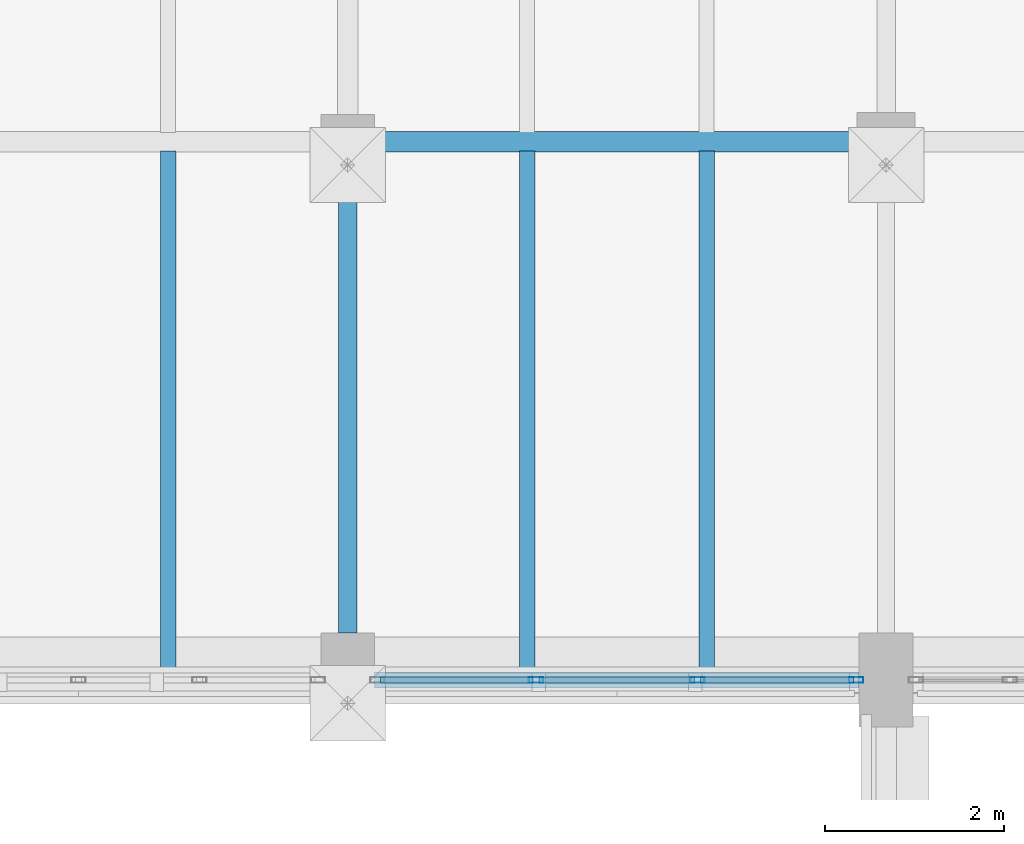
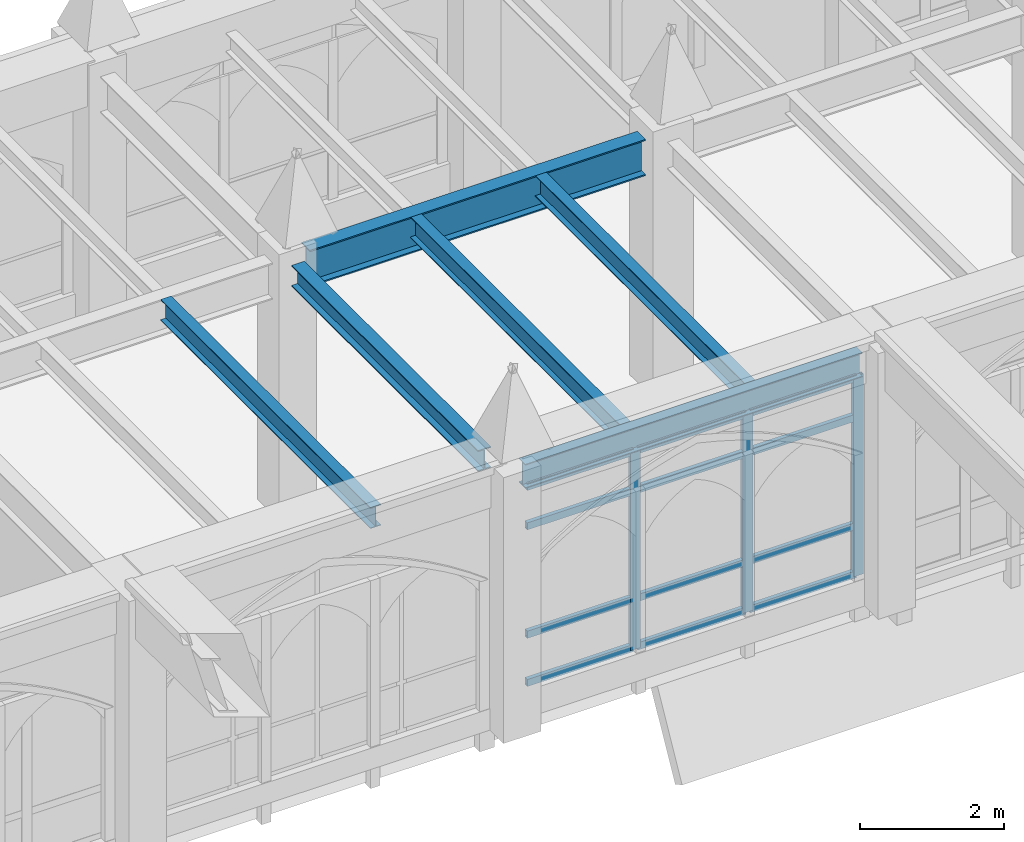
# One storey, part 54 of 143: 15 members, 6 beams, 1 element without a shape of its own.
"""IFC4 building model written with IfcOpenShell, lengths in metres."""

import ifcopenshell
import ifcopenshell.guid

model = None  # the IFC model being written
_history = None  # IfcOwnerHistory: only IFC2X3 demands one
_inside = {}  # id of a spatial element -> (the spatial element, [elements in it])
_under = {}  # id of a project, library or spatial element -> (it, [spatial elements below it])
_declared = {}  # id of a project -> (the project, [libraries it declares])
_typed = {}  # id of a type object -> (the type object, [elements of that type])
_made_of = {}  # id of a material, layer set ... -> (it, [elements and type objects made of it])


def new_model(schema):
    """Start an empty IFC model of exactly this schema.

    Asked for "IFC4X3", IfcOpenShell would pick the latest addendum, in which some entities
    have other attributes; the version numbers below select the first issue.
    IFC2X3 requires an IfcOwnerHistory on every rooted entity: one is made here for all.
    """
    global model, _history
    if schema == "IFC4X3":
        model = ifcopenshell.file(schema_version=(4, 3, 0, 0))
    else:
        model = ifcopenshell.file(schema=schema)
    _inside.clear()
    _under.clear()
    _declared.clear()
    _typed.clear()
    _made_of.clear()
    _history = None
    if model.schema == "IFC2X3":
        org = make("IfcOrganization", Name="unknown")
        user = make(
            "IfcPersonAndOrganization",
            ThePerson=make("IfcPerson", FamilyName="unknown"),
            TheOrganization=org,
        )
        app = make(
            "IfcApplication",
            ApplicationDeveloper=org,
            Version="unknown",
            ApplicationFullName="unknown",
            ApplicationIdentifier="unknown",
        )
        _history = make(
            "IfcOwnerHistory",
            OwningUser=user,
            OwningApplication=app,
            ChangeAction="ADDED",
            CreationDate=0,
        )
    return model


def make(cls, **values):
    """One entity of the class cls with the attributes given. An attribute that is None is left unset."""
    return model.create_entity(
        cls, **{name: value for name, value in values.items() if value is not None}
    )


def rooted(cls, **values):
    """An entity with a GlobalId (a new one), such as an element, a storey or a relation."""
    return make(cls, GlobalId=ifcopenshell.guid.new(), OwnerHistory=_history, **values)


def si_unit(unit_type, name, prefix=None):
    """IfcSIUnit, for example si_unit("LENGTHUNIT", "METRE", prefix="MILLI")."""
    return make("IfcSIUnit", UnitType=unit_type, Prefix=prefix, Name=name)


def assignment(units):
    """IfcUnitAssignment: the units of a project."""
    return None if units is None else make("IfcUnitAssignment", Units=units)


def point(xyz):
    """IfcCartesianPoint."""
    return None if xyz is None else make("IfcCartesianPoint", Coordinates=xyz)


def direction(xyz):
    """IfcDirection."""
    return None if xyz is None else make("IfcDirection", DirectionRatios=xyz)


def frame(location, z_axis=None, x_axis=None):
    """IfcAxis2Placement3D, a coordinate frame: its origin and axes. An axis left out is left unset."""
    return make(
        "IfcAxis2Placement3D",
        Location=point(location),
        Axis=direction(z_axis),
        RefDirection=direction(x_axis),
    )


def frame_2d(location, x_axis=None):
    """IfcAxis2Placement2D, a coordinate frame in the plane: its origin and x axis."""
    return make(
        "IfcAxis2Placement2D", Location=point(location), RefDirection=direction(x_axis)
    )


def origin():
    """The frame at (0, 0, 0) with its axes left unset."""
    return frame((0.0, 0.0, 0.0))


def origin_2d():
    """The frame at (0, 0) in the plane with its x axis left unset."""
    return frame_2d((0.0, 0.0))


def place(relative_to, where):
    """IfcLocalPlacement: puts the frame where relative to a parent placement (None: the world)."""
    return make(
        "IfcLocalPlacement", PlacementRelTo=relative_to, RelativePlacement=where
    )


def context(
    kind, dimensions, precision=None, world=None, true_north=None, identifier=None
):
    """IfcGeometricRepresentationContext, for example the 3D "Model" context."""
    return make(
        "IfcGeometricRepresentationContext",
        ContextIdentifier=identifier,
        ContextType=kind,
        CoordinateSpaceDimension=dimensions,
        Precision=precision,
        WorldCoordinateSystem=world,
        TrueNorth=true_north,
    )


def subcontext(parent, identifier, kind, view, scale=None):
    """IfcGeometricRepresentationSubContext, for example "Body" below "Model"."""
    return make(
        "IfcGeometricRepresentationSubContext",
        ContextIdentifier=identifier,
        ContextType=kind,
        ParentContext=parent,
        TargetScale=scale,
        TargetView=view,
    )


def project(units=None, contexts=None):
    """IfcProject with its units and contexts."""
    return rooted(
        "IfcProject",
        Name="project",
        RepresentationContexts=contexts,
        UnitsInContext=assignment(units),
    )


def spatial(cls, under=None, at=None, **own):
    """A site, building, storey or space (cls), placed at a placement, below another one or the project."""
    s = rooted(cls, ObjectPlacement=at, **own)
    if under is not None:
        _under.setdefault(under.id(), (under, []))[1].append(s)
    return s


def profile(cls, at=None, kind="AREA", **sizes):
    """A parametric profile (cls). Its sizes go by their IFC names, for example OverallWidth=200.0."""
    return make(cls, ProfileType=kind, Position=at, **sizes)


def hollow_rectangle(**sizes):
    """IfcRectangleHollowProfileDef."""
    return profile("IfcRectangleHollowProfileDef", **sizes)


def i_section(**sizes):
    """IfcIShapeProfileDef."""
    return profile("IfcIShapeProfileDef", **sizes)


def extrude(swept, where, along, depth):
    """IfcExtrudedAreaSolid: the profile swept, set in the frame where, extruded along a direction by depth."""
    return make(
        "IfcExtrudedAreaSolid",
        SweptArea=swept,
        Position=where,
        ExtrudedDirection=direction(along),
        Depth=depth,
    )


def shape(context_of_items, identifier, shape_type, items):
    """IfcShapeRepresentation: the items that make up one representation, for example the "Body"."""
    return make(
        "IfcShapeRepresentation",
        ContextOfItems=context_of_items,
        RepresentationIdentifier=identifier,
        RepresentationType=shape_type,
        Items=items,
    )


def material(Name=None, Category=None):
    """IfcMaterial."""
    return make("IfcMaterial", Name=Name, Category=Category)


def layer(
    of_material, thickness, ventilated=None, Name=None, Category=None, Priority=None
):
    """IfcMaterialLayer: one layer of a wall or slab, of a material (None: an air gap)."""
    return make(
        "IfcMaterialLayer",
        Material=of_material,
        LayerThickness=thickness,
        IsVentilated=ventilated,
        Name=Name,
        Category=Category,
        Priority=Priority,
    )


def layer_set(layers, Name=None):
    """IfcMaterialLayerSet."""
    return make("IfcMaterialLayerSet", MaterialLayers=layers, LayerSetName=Name)


def material_profile(
    of_material, cross_section, Name=None, Category=None, Priority=None
):
    """IfcMaterialProfile: a cross section and its material."""
    return make(
        "IfcMaterialProfile",
        Name=Name,
        Material=of_material,
        Profile=cross_section,
        Priority=Priority,
        Category=Category,
    )


def profile_set(profiles, Name=None, composite=None):
    """IfcMaterialProfileSet."""
    return make(
        "IfcMaterialProfileSet",
        Name=Name,
        MaterialProfiles=profiles,
        CompositeProfile=composite,
    )


def made_of(thing, what):
    """Note that an element or type object is made of a material, layer set ...; save() writes the relation."""
    if what is not None:
        _made_of.setdefault(what.id(), (what, []))[1].append(thing)
    return thing


def type_object(cls, material=None, **own):
    """A type object (cls), such as IfcWallType, which elements share."""
    return made_of(rooted(cls, **own), material)


def element(
    cls,
    number,
    at=None,
    inside=None,
    cuts=None,
    type_object=None,
    material=None,
    context=None,
    identifier="Body",
    shape_type=None,
    held_by="IfcProductDefinitionShape",
    body=None,
    shapes=None,
    **own,
):
    """One element of the class cls, such as IfcWall. Its Tag is "e" and its number.

    at: its placement. inside: the storey or other place that contains it. cuts: it is an
    opening in that element (IfcRelVoidsElement). A single representation is given by context,
    identifier, shape_type and body (its items); several are given by shapes. held_by: the class
    of the entity that holds the representations. save() writes the other relations.
    """
    e = rooted(cls, Tag="e%d" % number, ObjectPlacement=at, **own)
    if body is not None:
        shapes = [shape(context, identifier, shape_type, body)]
    if shapes is not None:
        e.Representation = make(held_by, Representations=shapes)
    if inside is not None:
        _inside.setdefault(inside.id(), (inside, []))[1].append(e)
    if cuts is not None:
        rooted(
            "IfcRelVoidsElement", RelatingBuildingElement=cuts, RelatedOpeningElement=e
        )
    if type_object is not None:
        _typed.setdefault(type_object.id(), (type_object, []))[1].append(e)
    return made_of(e, material)


def aggregate(whole, parts):
    """IfcRelAggregates: a whole, such as a stair, and the parts it consists of."""
    return rooted("IfcRelAggregates", RelatingObject=whole, RelatedObjects=parts)


def save(model, path):
    """Write the relations noted so far, then the file.

    IfcRelAggregates (storeys below a building ...), IfcRelContainedInSpatialStructure (elements
    in a storey), IfcRelDefinesByType, IfcRelAssociatesMaterial and IfcRelDeclares: one each for
    every whole, place, type object, material and project.
    """
    for whole, parts in _under.values():
        aggregate(whole, parts)
    for where, things in _inside.values():
        rooted(
            "IfcRelContainedInSpatialStructure",
            RelatedElements=things,
            RelatingStructure=where,
        )
    for kind, things in _typed.values():
        rooted("IfcRelDefinesByType", RelatedObjects=things, RelatingType=kind)
    for what, things in _made_of.values():
        rooted("IfcRelAssociatesMaterial", RelatedObjects=things, RelatingMaterial=what)
    for by, libraries in _declared.values():
        rooted("IfcRelDeclares", RelatingContext=by, RelatedDefinitions=libraries)
    model.write(path)


model = new_model("IFC4")

# Units and contexts
model_context = context("Model", 3, precision=1e-05, world=origin(), true_north=direction((0.0, 1.0)))
body_context = subcontext(model_context, "Body", "Model", "MODEL_VIEW")
ifc_project = project(units=[si_unit("LENGTHUNIT", "METRE"), si_unit("AREAUNIT", "SQUARE_METRE"), si_unit("VOLUMEUNIT", "CUBIC_METRE"), si_unit("PLANEANGLEUNIT", "RADIAN"), si_unit("MASSUNIT", "GRAM", prefix="KILO")], contexts=[model_context])

# Site, building, storey
site_placement = place(None, origin())
site = spatial("IfcSite", under=ifc_project, at=site_placement, CompositionType="ELEMENT")
building_placement = place(site_placement, origin())
building = spatial("IfcBuilding", under=site, at=building_placement, Name="Cumevento Cable Car Station", CompositionType="ELEMENT")
storey_placement = place(building_placement, frame((0.0, 0.0, 9.0)))
storey = spatial("IfcBuildingStorey", under=building, at=storey_placement, Name="L03", CompositionType="ELEMENT", Elevation=9.0)

# Curtain wall, members
ifc_material_1 = material(Name="Anodised Bronze Aluminium AW-6063-T6", Category="aluminium")
ifc_layer = layer(ifc_material_1, 0.243896484375)
ifc_layer_set = layer_set([ifc_layer], Name="Anodised Bronze Aluminium AW-6063-T6")
curtain_wall_type = type_object("IfcCurtainWallType", Name="Lancet Curtain Wall CW-15 1610", PredefinedType="NOTDEFINED", material=ifc_layer_set)
curtain_wall_placement = place(storey_placement, origin())
curtain_wall = element("IfcCurtainWall", 1, at=curtain_wall_placement, inside=storey, type_object=curtain_wall_type, Name="Lancet Curtain Wall CW-15 L03 #110", PredefinedType="NOTDEFINED")
ifc_material_2 = material(Name="Anodised Bronze Aluminium AW-6063-T6", Category="aluminium")
ifc_material_profile_1 = material_profile(ifc_material_2, hollow_rectangle(XDim=0.06494140625, YDim=0.159912109375, WallThickness=0.00390625, at=origin_2d()), Name="ALUM65x160x4")
ifc_profile_set_1 = profile_set([ifc_material_profile_1], Name="Anodised Bronze Aluminium AW-6063-T6")
member_type_1 = type_object("IfcMemberType", Name="Curtain Mullion CWM-01 ALUM65x160x4", PredefinedType="MULLION", material=ifc_profile_set_1)
member_1_placement = place(storey_placement, frame((99.66748046875, 45.0, 0.4599609375), z_axis=(0.0, 0.0, 1.0), x_axis=(0.0, -1.0, 0.0)))
member_1 = element("IfcMember", 2, at=member_1_placement, type_object=member_type_1, Name="CW-15 mullion 1", PredefinedType="MULLION", context=body_context, shape_type="SweptSolid", body=[
    extrude(hollow_rectangle(XDim=0.06494140625, YDim=0.159912109375, WallThickness=0.00390625, at=origin_2d()), origin(), (0.0, 0.0, 1.0), 3.385009765625),
])
member_2_placement = place(storey_placement, frame((97.89990234375, 45.0, 0.4599609375), z_axis=(0.0, 0.0, 1.0), x_axis=(0.0, -1.0, 0.0)))
member_2 = element("IfcMember", 3, at=member_2_placement, type_object=member_type_1, Name="CW-15 mullion 2", PredefinedType="MULLION", context=body_context, shape_type="SweptSolid", body=[
    extrude(hollow_rectangle(XDim=0.06494140625, YDim=0.159912109375, WallThickness=0.00390625, at=origin_2d()), origin(), (0.0, 0.0, 1.0), 3.385009765625),
])
member_3_placement = place(storey_placement, frame((96.10009765625, 45.0, 0.4599609375), z_axis=(0.0, 0.0, 1.0), x_axis=(0.0, -1.0, 0.0)))
member_3 = element("IfcMember", 4, at=member_3_placement, type_object=member_type_1, Name="CW-15 mullion 3", PredefinedType="MULLION", context=body_context, shape_type="SweptSolid", body=[
    extrude(hollow_rectangle(XDim=0.06494140625, YDim=0.159912109375, WallThickness=0.00390625, at=origin_2d()), origin(), (0.0, 0.0, 1.0), 3.385009765625),
])
ifc_material_3 = material(Name="Anodised Bronze Aluminium AW-6063-T6", Category="aluminium")
ifc_material_profile_2 = material_profile(ifc_material_3, hollow_rectangle(XDim=0.06494140625, YDim=0.1201171875, WallThickness=0.00390625, at=origin_2d()), Name="ALUT65x120x4")
ifc_profile_set_2 = profile_set([ifc_material_profile_2], Name="Anodised Bronze Aluminium AW-6063-T6")
member_type_2 = type_object("IfcMemberType", Name="Curtain Transom CWT-01 ALUT65x120x4", PredefinedType="USERDEFINED", material=ifc_profile_set_2)
member_4_placement = place(storey_placement, frame((99.635009765625, 45.0, 0.492431640625), z_axis=(-1.0, 0.0, 0.0), x_axis=(0.0, -1.0, 0.0)))
member_4 = element("IfcMember", 5, at=member_4_placement, type_object=member_type_2, Name="CW-15 transom 1.1", ObjectType="TRANSOM", PredefinedType="USERDEFINED", context=body_context, shape_type="SweptSolid", body=[
    extrude(hollow_rectangle(XDim=0.06494140625, YDim=0.1201171875, WallThickness=0.00390625, at=origin_2d()), origin(), (0.0, 0.0, 1.0), 1.702392578125),
])
member_5_placement = place(storey_placement, frame((99.635009765625, 45.0, 1.31005859375), z_axis=(-1.0, 0.0, 0.0), x_axis=(0.0, -1.0, 0.0)))
member_5 = element("IfcMember", 6, at=member_5_placement, type_object=member_type_2, Name="CW-15 transom 1.2", ObjectType="TRANSOM", PredefinedType="USERDEFINED", context=body_context, shape_type="SweptSolid", body=[
    extrude(hollow_rectangle(XDim=0.06494140625, YDim=0.1201171875, WallThickness=0.00390625, at=origin_2d()), origin(), (0.0, 0.0, 1.0), 1.702392578125),
])
member_6_placement = place(storey_placement, frame((99.635009765625, 45.0, 3.14501953125), z_axis=(-1.0, 0.0, 0.0), x_axis=(0.0, -1.0, 0.0)))
member_6 = element("IfcMember", 7, at=member_6_placement, type_object=member_type_2, Name="CW-15 transom 1.3", ObjectType="TRANSOM", PredefinedType="USERDEFINED", context=body_context, shape_type="SweptSolid", body=[
    extrude(hollow_rectangle(XDim=0.06494140625, YDim=0.1201171875, WallThickness=0.00390625, at=origin_2d()), origin(), (0.0, 0.0, 1.0), 1.702392578125),
])
member_7_placement = place(storey_placement, frame((99.635009765625, 45.0, 3.8125), z_axis=(-1.0, 0.0, 0.0), x_axis=(0.0, -1.0, 0.0)))
member_7 = element("IfcMember", 8, at=member_7_placement, type_object=member_type_2, Name="CW-15 transom 1.4", ObjectType="TRANSOM", PredefinedType="USERDEFINED", context=body_context, shape_type="SweptSolid", body=[
    extrude(hollow_rectangle(XDim=0.06494140625, YDim=0.1201171875, WallThickness=0.00390625, at=origin_2d()), origin(), (0.0, 0.0, 1.0), 1.702392578125),
])
member_8_placement = place(storey_placement, frame((97.867431640625, 45.0, 0.492431640625), z_axis=(-1.0, 0.0, 0.0), x_axis=(0.0, -1.0, 0.0)))
member_8 = element("IfcMember", 9, at=member_8_placement, type_object=member_type_2, Name="CW-15 transom 2.1", ObjectType="TRANSOM", PredefinedType="USERDEFINED", context=body_context, shape_type="SweptSolid", body=[
    extrude(hollow_rectangle(XDim=0.06494140625, YDim=0.1201171875, WallThickness=0.00390625, at=origin_2d()), origin(), (0.0, 0.0, 1.0), 1.73486328125),
])
member_9_placement = place(storey_placement, frame((97.867431640625, 45.0, 1.31005859375), z_axis=(-1.0, 0.0, 0.0), x_axis=(0.0, -1.0, 0.0)))
member_9 = element("IfcMember", 10, at=member_9_placement, type_object=member_type_2, Name="CW-15 transom 2.2", ObjectType="TRANSOM", PredefinedType="USERDEFINED", context=body_context, shape_type="SweptSolid", body=[
    extrude(hollow_rectangle(XDim=0.06494140625, YDim=0.1201171875, WallThickness=0.00390625, at=origin_2d()), origin(), (0.0, 0.0, 1.0), 1.73486328125),
])
member_10_placement = place(storey_placement, frame((97.867431640625, 45.0, 3.14501953125), z_axis=(-1.0, 0.0, 0.0), x_axis=(0.0, -1.0, 0.0)))
member_10 = element("IfcMember", 11, at=member_10_placement, type_object=member_type_2, Name="CW-15 transom 2.3", ObjectType="TRANSOM", PredefinedType="USERDEFINED", context=body_context, shape_type="SweptSolid", body=[
    extrude(hollow_rectangle(XDim=0.06494140625, YDim=0.1201171875, WallThickness=0.00390625, at=origin_2d()), origin(), (0.0, 0.0, 1.0), 1.73486328125),
])
member_11_placement = place(storey_placement, frame((97.867431640625, 45.0, 3.8125), z_axis=(-1.0, 0.0, 0.0), x_axis=(0.0, -1.0, 0.0)))
member_11 = element("IfcMember", 12, at=member_11_placement, type_object=member_type_2, Name="CW-15 transom 2.4", ObjectType="TRANSOM", PredefinedType="USERDEFINED", context=body_context, shape_type="SweptSolid", body=[
    extrude(hollow_rectangle(XDim=0.06494140625, YDim=0.1201171875, WallThickness=0.00390625, at=origin_2d()), origin(), (0.0, 0.0, 1.0), 1.73486328125),
])
member_12_placement = place(storey_placement, frame((96.0673828125, 45.0, 0.492431640625), z_axis=(-1.0, 0.0, 0.0), x_axis=(0.0, -1.0, 0.0)))
member_12 = element("IfcMember", 13, at=member_12_placement, type_object=member_type_2, Name="CW-15 transom 3.1", ObjectType="TRANSOM", PredefinedType="USERDEFINED", context=body_context, shape_type="SweptSolid", body=[
    extrude(hollow_rectangle(XDim=0.06494140625, YDim=0.1201171875, WallThickness=0.00390625, at=origin_2d()), origin(), (0.0, 0.0, 1.0), 1.702392578125),
])
member_13_placement = place(storey_placement, frame((96.0673828125, 45.0, 1.31005859375), z_axis=(-1.0, 0.0, 0.0), x_axis=(0.0, -1.0, 0.0)))
member_13 = element("IfcMember", 14, at=member_13_placement, type_object=member_type_2, Name="CW-15 transom 3.2", ObjectType="TRANSOM", PredefinedType="USERDEFINED", context=body_context, shape_type="SweptSolid", body=[
    extrude(hollow_rectangle(XDim=0.06494140625, YDim=0.1201171875, WallThickness=0.00390625, at=origin_2d()), origin(), (0.0, 0.0, 1.0), 1.702392578125),
])
member_14_placement = place(storey_placement, frame((96.0673828125, 45.0, 3.14501953125), z_axis=(-1.0, 0.0, 0.0), x_axis=(0.0, -1.0, 0.0)))
member_14 = element("IfcMember", 15, at=member_14_placement, type_object=member_type_2, Name="CW-15 transom 3.3", ObjectType="TRANSOM", PredefinedType="USERDEFINED", context=body_context, shape_type="SweptSolid", body=[
    extrude(hollow_rectangle(XDim=0.06494140625, YDim=0.1201171875, WallThickness=0.00390625, at=origin_2d()), origin(), (0.0, 0.0, 1.0), 1.702392578125),
])
member_15_placement = place(storey_placement, frame((96.0673828125, 45.0, 3.8125), z_axis=(-1.0, 0.0, 0.0), x_axis=(0.0, -1.0, 0.0)))
member_15 = element("IfcMember", 16, at=member_15_placement, type_object=member_type_2, Name="CW-15 transom 3.4", ObjectType="TRANSOM", PredefinedType="USERDEFINED", context=body_context, shape_type="SweptSolid", body=[
    extrude(hollow_rectangle(XDim=0.06494140625, YDim=0.1201171875, WallThickness=0.00390625, at=origin_2d()), origin(), (0.0, 0.0, 1.0), 1.702392578125),
])
aggregate(curtain_wall, [member_1, member_2, member_3, member_4, member_5, member_6, member_7, member_8, member_9, member_10, member_11, member_12, member_13, member_14, member_15])

# Beams
ifc_material_4 = material(Name="Steel ASTM A572 Grade 50", Category="steel")
ifc_material_profile_3 = material_profile(ifc_material_4, i_section(OverallWidth=0.22998046875, OverallDepth=0.616943359375, WebThickness=0.01318359375, FlangeThickness=0.022216796875, at=origin_2d()), Name="W610x140.0")
ifc_profile_set_3 = profile_set([ifc_material_profile_3], Name="Steel ASTM A572 Grade 50")
beam_type_1 = type_object("IfcBeamType", Name="Structural Beam BM-01 W610x140.0", PredefinedType="BEAM", material=ifc_profile_set_3)
beam_1_placement = place(storey_placement, frame((94.300048828125, 51.0, 3.943603515625), z_axis=(1.0, 0.0, 0.0), x_axis=(0.0, 1.0, 0.0)))
element("IfcBeam", 17, at=beam_1_placement, inside=storey, type_object=beam_type_1, Name="Beam BM-01 L03 #1089", PredefinedType="BEAM", context=body_context, shape_type="SweptSolid", body=[
    extrude(i_section(OverallWidth=0.22998046875, OverallDepth=0.616943359375, WebThickness=0.01318359375, FlangeThickness=0.022216796875, at=origin_2d()), origin(), (0.0, 0.0, 1.0), 5.375),
])
ifc_material_5 = material(Name="Steel ASTM A572 Grade 50", Category="steel")
ifc_material_profile_4 = material_profile(ifc_material_5, i_section(OverallWidth=0.205078125, OverallDepth=0.35400390625, WebThickness=0.009521484375, FlangeThickness=0.016845703125, at=origin_2d()), Name="W360x79.0")
ifc_profile_set_4 = profile_set([ifc_material_profile_4], Name="Steel ASTM A572 Grade 50")
beam_type_2 = type_object("IfcBeamType", Name="Structural Beam BM-05 W360x79.0", PredefinedType="BEAM", material=ifc_profile_set_4)
beam_2_placement = place(storey_placement, frame((94.0, 45.52490234375, 4.074951171875), z_axis=(0.0, 1.0, 0.0), x_axis=(-1.0, 0.0, 0.0)))
element("IfcBeam", 18, at=beam_2_placement, inside=storey, type_object=beam_type_2, Name="Beam BM-05 L03 #1098", PredefinedType="BEAM", context=body_context, shape_type="SweptSolid", body=[
    extrude(i_section(OverallWidth=0.205078125, OverallDepth=0.35400390625, WebThickness=0.009521484375, FlangeThickness=0.016845703125, at=origin_2d()), origin(), (0.0, 0.0, 1.0), 5.175048828125),
])
ifc_material_6 = material(Name="Steel ASTM A572 Grade 50", Category="steel")
ifc_material_profile_5 = material_profile(ifc_material_6, i_section(OverallWidth=0.1708984375, OverallDepth=0.35498046875, WebThickness=0.007080078125, FlangeThickness=0.01171875, at=origin_2d()), Name="W360x51.0")
ifc_profile_set_5 = profile_set([ifc_material_profile_5], Name="Steel ASTM A572 Grade 50")
beam_type_3 = type_object("IfcBeamType", Name="Structural Joist JS-01 W360x51.0", PredefinedType="JOIST", material=ifc_profile_set_5)
for number, where, z_axis, x_axis, name in (
    (19, (92.0, 45.076904296875, 4.074462890625), (0.0, 1.0, 0.0), (-1.0, 0.0, 0.0), "Composite Floor Joist JS-01 L03 #1266"),
    (20, (96.0, 45.076904296875, 4.074462890625), (0.0, 1.0, 0.0), (-1.0, 0.0, 0.0), "Composite Floor Joist JS-01 L03 #1268"),
    (21, (98.0, 45.076904296875, 4.074462890625), (0.0, 1.0, 0.0), (-1.0, 0.0, 0.0), "Composite Floor Joist JS-01 L03 #1270"),
):
    element("IfcBeam", number, at=place(storey_placement, frame(where, z_axis=z_axis, x_axis=x_axis)), inside=storey, type_object=beam_type_3, Name=name, PredefinedType="JOIST", context=body_context, shape_type="SweptSolid", body=[
        extrude(i_section(OverallWidth=0.1708984375, OverallDepth=0.35498046875, WebThickness=0.007080078125, FlangeThickness=0.01171875, at=origin_2d()), origin(), (0.0, 0.0, 1.0), 5.820068359375),
    ])
ifc_material_7 = material(Name="Steel ASTM A572 Grade 50", Category="steel")
ifc_material_profile_6 = material_profile(ifc_material_7, i_section(OverallWidth=0.177978515625, OverallDepth=0.406982421875, WebThickness=0.0078125, FlangeThickness=0.0126953125, at=origin_2d()), Name="W410x60.0")
ifc_profile_set_6 = profile_set([ifc_material_profile_6], Name="Steel ASTM A572 Grade 50")
beam_type_4 = type_object("IfcBeamType", Name="Structural Spandrel SP-01 W410x60.0", PredefinedType="SPANDREL", material=ifc_profile_set_6)
beam_3_placement = place(storey_placement, frame((94.300048828125, 45.0, 4.048583984375), z_axis=(1.0, 0.0, 0.0), x_axis=(0.0, 1.0, 0.0)))
element("IfcBeam", 22, at=beam_3_placement, inside=storey, type_object=beam_type_4, Name="Beam SP-01 L03 #1084", PredefinedType="SPANDREL", context=body_context, shape_type="SweptSolid", body=[
    extrude(i_section(OverallWidth=0.177978515625, OverallDepth=0.406982421875, WebThickness=0.0078125, FlangeThickness=0.0126953125, at=origin_2d()), origin(), (0.0, 0.0, 1.0), 5.39990234375),
])

save(model, "model.ifc")
